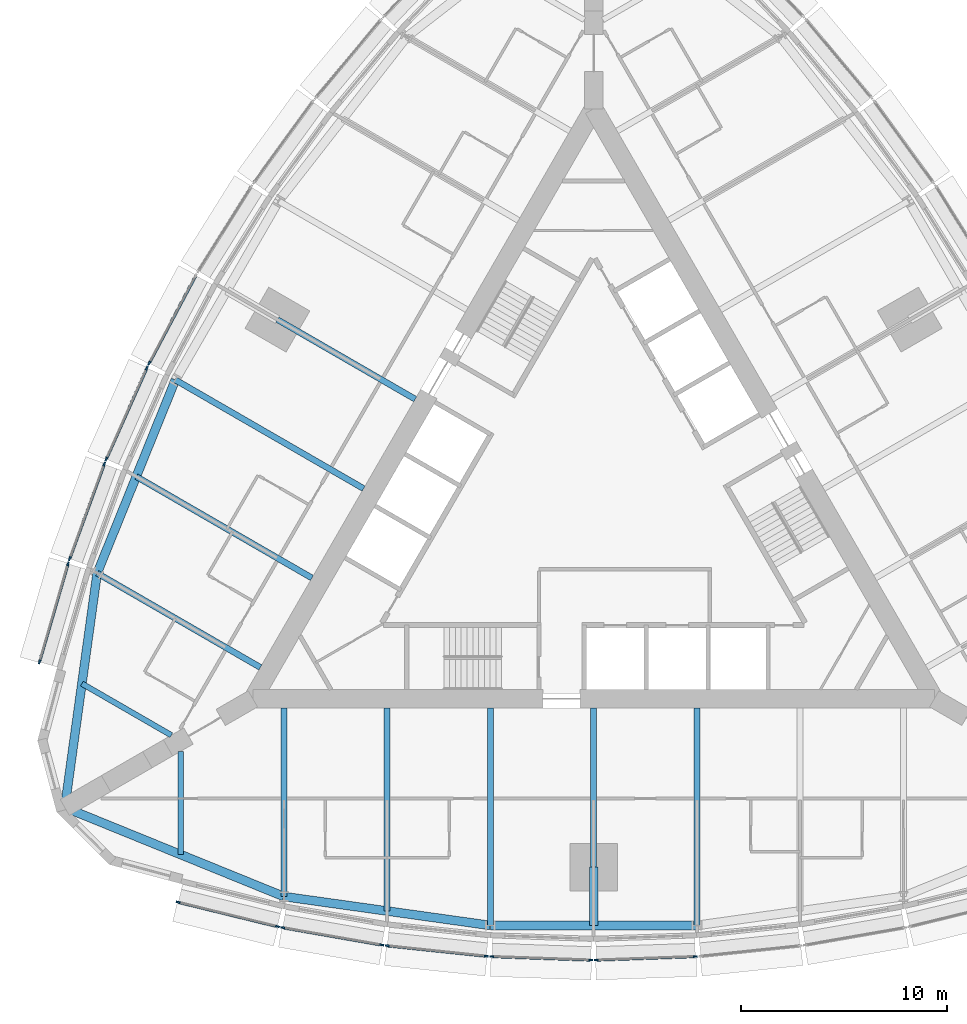
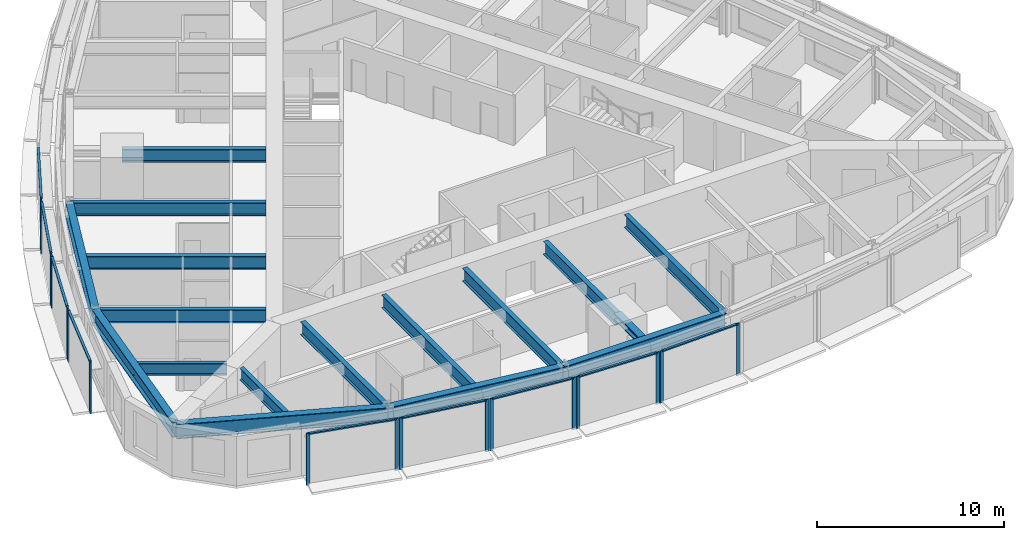
# One storey, part 2 of 14: 26 members, 17 beams, 9 elements without a shape of their own.
"""IFC4 building model written with IfcOpenShell, lengths in metres."""

import ifcopenshell
import ifcopenshell.guid

model = None  # the IFC model being written
_history = None  # IfcOwnerHistory: only IFC2X3 demands one
_inside = {}  # id of a spatial element -> (the spatial element, [elements in it])
_under = {}  # id of a project, library or spatial element -> (it, [spatial elements below it])
_declared = {}  # id of a project -> (the project, [libraries it declares])
_typed = {}  # id of a type object -> (the type object, [elements of that type])
_made_of = {}  # id of a material, layer set ... -> (it, [elements and type objects made of it])


def new_model(schema):
    """Start an empty IFC model of exactly this schema.

    Asked for "IFC4X3", IfcOpenShell would pick the latest addendum, in which some entities
    have other attributes; the version numbers below select the first issue.
    IFC2X3 requires an IfcOwnerHistory on every rooted entity: one is made here for all.
    """
    global model, _history
    if schema == "IFC4X3":
        model = ifcopenshell.file(schema_version=(4, 3, 0, 0))
    else:
        model = ifcopenshell.file(schema=schema)
    _inside.clear()
    _under.clear()
    _declared.clear()
    _typed.clear()
    _made_of.clear()
    _history = None
    if model.schema == "IFC2X3":
        org = make("IfcOrganization", Name="unknown")
        user = make(
            "IfcPersonAndOrganization",
            ThePerson=make("IfcPerson", FamilyName="unknown"),
            TheOrganization=org,
        )
        app = make(
            "IfcApplication",
            ApplicationDeveloper=org,
            Version="unknown",
            ApplicationFullName="unknown",
            ApplicationIdentifier="unknown",
        )
        _history = make(
            "IfcOwnerHistory",
            OwningUser=user,
            OwningApplication=app,
            ChangeAction="ADDED",
            CreationDate=0,
        )
    return model


def make(cls, **values):
    """One entity of the class cls with the attributes given. An attribute that is None is left unset."""
    return model.create_entity(
        cls, **{name: value for name, value in values.items() if value is not None}
    )


def rooted(cls, **values):
    """An entity with a GlobalId (a new one), such as an element, a storey or a relation."""
    return make(cls, GlobalId=ifcopenshell.guid.new(), OwnerHistory=_history, **values)


def si_unit(unit_type, name, prefix=None):
    """IfcSIUnit, for example si_unit("LENGTHUNIT", "METRE", prefix="MILLI")."""
    return make("IfcSIUnit", UnitType=unit_type, Prefix=prefix, Name=name)


def assignment(units):
    """IfcUnitAssignment: the units of a project."""
    return None if units is None else make("IfcUnitAssignment", Units=units)


def point(xyz):
    """IfcCartesianPoint."""
    return None if xyz is None else make("IfcCartesianPoint", Coordinates=xyz)


def direction(xyz):
    """IfcDirection."""
    return None if xyz is None else make("IfcDirection", DirectionRatios=xyz)


def frame(location, z_axis=None, x_axis=None):
    """IfcAxis2Placement3D, a coordinate frame: its origin and axes. An axis left out is left unset."""
    return make(
        "IfcAxis2Placement3D",
        Location=point(location),
        Axis=direction(z_axis),
        RefDirection=direction(x_axis),
    )


def frame_2d(location, x_axis=None):
    """IfcAxis2Placement2D, a coordinate frame in the plane: its origin and x axis."""
    return make(
        "IfcAxis2Placement2D", Location=point(location), RefDirection=direction(x_axis)
    )


def origin():
    """The frame at (0, 0, 0) with its axes left unset."""
    return frame((0.0, 0.0, 0.0))


def origin_2d():
    """The frame at (0, 0) in the plane with its x axis left unset."""
    return frame_2d((0.0, 0.0))


def place(relative_to, where):
    """IfcLocalPlacement: puts the frame where relative to a parent placement (None: the world)."""
    return make(
        "IfcLocalPlacement", PlacementRelTo=relative_to, RelativePlacement=where
    )


def context(
    kind, dimensions, precision=None, world=None, true_north=None, identifier=None
):
    """IfcGeometricRepresentationContext, for example the 3D "Model" context."""
    return make(
        "IfcGeometricRepresentationContext",
        ContextIdentifier=identifier,
        ContextType=kind,
        CoordinateSpaceDimension=dimensions,
        Precision=precision,
        WorldCoordinateSystem=world,
        TrueNorth=true_north,
    )


def subcontext(parent, identifier, kind, view, scale=None):
    """IfcGeometricRepresentationSubContext, for example "Body" below "Model"."""
    return make(
        "IfcGeometricRepresentationSubContext",
        ContextIdentifier=identifier,
        ContextType=kind,
        ParentContext=parent,
        TargetScale=scale,
        TargetView=view,
    )


def project(units=None, contexts=None):
    """IfcProject with its units and contexts."""
    return rooted(
        "IfcProject",
        Name="project",
        RepresentationContexts=contexts,
        UnitsInContext=assignment(units),
    )


def spatial(cls, under=None, at=None, **own):
    """A site, building, storey or space (cls), placed at a placement, below another one or the project."""
    s = rooted(cls, ObjectPlacement=at, **own)
    if under is not None:
        _under.setdefault(under.id(), (under, []))[1].append(s)
    return s


def profile(cls, at=None, kind="AREA", **sizes):
    """A parametric profile (cls). Its sizes go by their IFC names, for example OverallWidth=200.0."""
    return make(cls, ProfileType=kind, Position=at, **sizes)


def rectangle(**sizes):
    """IfcRectangleProfileDef."""
    return profile("IfcRectangleProfileDef", **sizes)


def i_section(**sizes):
    """IfcIShapeProfileDef."""
    return profile("IfcIShapeProfileDef", **sizes)


def extrude(swept, where, along, depth):
    """IfcExtrudedAreaSolid: the profile swept, set in the frame where, extruded along a direction by depth."""
    return make(
        "IfcExtrudedAreaSolid",
        SweptArea=swept,
        Position=where,
        ExtrudedDirection=direction(along),
        Depth=depth,
    )


def shape(context_of_items, identifier, shape_type, items):
    """IfcShapeRepresentation: the items that make up one representation, for example the "Body"."""
    return make(
        "IfcShapeRepresentation",
        ContextOfItems=context_of_items,
        RepresentationIdentifier=identifier,
        RepresentationType=shape_type,
        Items=items,
    )


def material(Name=None, Category=None):
    """IfcMaterial."""
    return make("IfcMaterial", Name=Name, Category=Category)


def material_profile(
    of_material, cross_section, Name=None, Category=None, Priority=None
):
    """IfcMaterialProfile: a cross section and its material."""
    return make(
        "IfcMaterialProfile",
        Name=Name,
        Material=of_material,
        Profile=cross_section,
        Priority=Priority,
        Category=Category,
    )


def profile_set(profiles, Name=None, composite=None):
    """IfcMaterialProfileSet."""
    return make(
        "IfcMaterialProfileSet",
        Name=Name,
        MaterialProfiles=profiles,
        CompositeProfile=composite,
    )


def made_of(thing, what):
    """Note that an element or type object is made of a material, layer set ...; save() writes the relation."""
    if what is not None:
        _made_of.setdefault(what.id(), (what, []))[1].append(thing)
    return thing


def type_object(cls, material=None, **own):
    """A type object (cls), such as IfcWallType, which elements share."""
    return made_of(rooted(cls, **own), material)


def element(
    cls,
    number,
    at=None,
    inside=None,
    cuts=None,
    type_object=None,
    material=None,
    context=None,
    identifier="Body",
    shape_type=None,
    held_by="IfcProductDefinitionShape",
    body=None,
    shapes=None,
    **own,
):
    """One element of the class cls, such as IfcWall. Its Tag is "e" and its number.

    at: its placement. inside: the storey or other place that contains it. cuts: it is an
    opening in that element (IfcRelVoidsElement). A single representation is given by context,
    identifier, shape_type and body (its items); several are given by shapes. held_by: the class
    of the entity that holds the representations. save() writes the other relations.
    """
    e = rooted(cls, Tag="e%d" % number, ObjectPlacement=at, **own)
    if body is not None:
        shapes = [shape(context, identifier, shape_type, body)]
    if shapes is not None:
        e.Representation = make(held_by, Representations=shapes)
    if inside is not None:
        _inside.setdefault(inside.id(), (inside, []))[1].append(e)
    if cuts is not None:
        rooted(
            "IfcRelVoidsElement", RelatingBuildingElement=cuts, RelatedOpeningElement=e
        )
    if type_object is not None:
        _typed.setdefault(type_object.id(), (type_object, []))[1].append(e)
    return made_of(e, material)


def aggregate(whole, parts):
    """IfcRelAggregates: a whole, such as a stair, and the parts it consists of."""
    return rooted("IfcRelAggregates", RelatingObject=whole, RelatedObjects=parts)


def save(model, path):
    """Write the relations noted so far, then the file.

    IfcRelAggregates (storeys below a building ...), IfcRelContainedInSpatialStructure (elements
    in a storey), IfcRelDefinesByType, IfcRelAssociatesMaterial and IfcRelDeclares: one each for
    every whole, place, type object, material and project.
    """
    for whole, parts in _under.values():
        aggregate(whole, parts)
    for where, things in _inside.values():
        rooted(
            "IfcRelContainedInSpatialStructure",
            RelatedElements=things,
            RelatingStructure=where,
        )
    for kind, things in _typed.values():
        rooted("IfcRelDefinesByType", RelatedObjects=things, RelatingType=kind)
    for what, things in _made_of.values():
        rooted("IfcRelAssociatesMaterial", RelatedObjects=things, RelatingMaterial=what)
    for by, libraries in _declared.values():
        rooted("IfcRelDeclares", RelatingContext=by, RelatedDefinitions=libraries)
    model.write(path)


model = new_model("IFC4")

# Units and contexts
model_context = context("Model", 3, precision=1e-05, world=origin(), true_north=direction((0.0, 1.0)))
body_context = subcontext(model_context, "Body", "Model", "MODEL_VIEW")
ifc_project = project(units=[si_unit("LENGTHUNIT", "METRE"), si_unit("AREAUNIT", "SQUARE_METRE"), si_unit("VOLUMEUNIT", "CUBIC_METRE"), si_unit("PLANEANGLEUNIT", "RADIAN"), si_unit("MASSUNIT", "GRAM", prefix="KILO")], contexts=[model_context])

# Site, building, storey
site_placement = place(None, origin())
site = spatial("IfcSite", under=ifc_project, at=site_placement, CompositionType="ELEMENT")
building_placement = place(site_placement, origin())
building = spatial("IfcBuilding", under=site, at=building_placement, Name="Trikona Tower", CompositionType="ELEMENT")
storey_placement = place(building_placement, frame((0.0, 0.0, 158.89990234375)))
storey = spatial("IfcBuildingStorey", under=building, at=storey_placement, Name="L42", CompositionType="ELEMENT", Elevation=158.89990234375)

# Curtain wall, members
ifc_material_1 = material(Name="Aluminium curtain wall system", Category="aluminium")
curtain_wall_type = type_object("IfcCurtainWallType", Name="Curtain wall DS2", PredefinedType="NOTDEFINED", material=ifc_material_1)
curtain_wall_1_placement = place(storey_placement, origin())
curtain_wall_1 = element("IfcCurtainWall", 1, at=curtain_wall_1_placement, inside=storey, type_object=curtain_wall_type, Name="Curtain wall DS2 L42", PredefinedType="NOTDEFINED")
ifc_material_2 = material(Name="Aluminium mullion, pale anodised", Category="aluminium")
ifc_material_profile_1 = material_profile(ifc_material_2, rectangle(XDim=0.080078125, YDim=0.199951171875, at=origin_2d()), Name="MUL-DS2")
ifc_profile_set_1 = profile_set([ifc_material_profile_1], Name="Aluminium mullion, pale anodised")
member_type_1 = type_object("IfcMemberType", Name="Mullion DS2 80x200", PredefinedType="MULLION", material=ifc_profile_set_1)
member_1_placement = place(storey_placement, frame((-20.116943359375, -19.373046875, 0.0), z_axis=(0.0, 0.0, 1.0), x_axis=(0.237970204243, 0.971272455026, 0.0)))
member_1 = element("IfcMember", 2, at=member_1_placement, type_object=member_type_1, Name="CW-DS2 mullion 1", PredefinedType="MULLION", context=body_context, shape_type="SweptSolid", body=[
    extrude(rectangle(XDim=0.080078125, YDim=0.199951171875, at=origin_2d()), origin(), (0.0, 0.0, 1.0), 3.400146484375),
])
member_2_placement = place(storey_placement, frame((-15.311279296875, -20.550537109375, 0.0), z_axis=(0.0, 0.0, 1.0), x_axis=(0.237970204243, 0.971272455026, 0.0)))
member_2 = element("IfcMember", 3, at=member_2_placement, type_object=member_type_1, Name="CW-DS2 mullion 2", PredefinedType="MULLION", context=body_context, shape_type="SweptSolid", body=[
    extrude(rectangle(XDim=0.080078125, YDim=0.199951171875, at=origin_2d()), origin(), (0.0, 0.0, 1.0), 3.400146484375),
])

curtain_wall_2_placement = place(storey_placement, origin())
curtain_wall_2 = element("IfcCurtainWall", 4, at=curtain_wall_2_placement, inside=storey, type_object=curtain_wall_type, Name="Curtain wall DS2 L42", PredefinedType="NOTDEFINED")
member_3_placement = place(storey_placement, frame((-15.056640625, -20.60400390625, 0.0), z_axis=(0.0, 0.0, 1.0), x_axis=(0.17237739505, 0.985030981074, 0.0)))
member_3 = element("IfcMember", 5, at=member_3_placement, type_object=member_type_1, Name="CW-DS2 mullion 1", PredefinedType="MULLION", context=body_context, shape_type="SweptSolid", body=[
    extrude(rectangle(XDim=0.080078125, YDim=0.199951171875, at=origin_2d()), origin(), (0.0, 0.0, 1.0), 3.400146484375),
])
member_4_placement = place(storey_placement, frame((-10.253662109375, -21.444580078125, 0.0), z_axis=(0.0, 0.0, 1.0), x_axis=(0.17237739505, 0.985030981074, 0.0)))
member_4 = element("IfcMember", 6, at=member_4_placement, type_object=member_type_1, Name="CW-DS2 mullion 2", PredefinedType="MULLION", context=body_context, shape_type="SweptSolid", body=[
    extrude(rectangle(XDim=0.080078125, YDim=0.199951171875, at=origin_2d()), origin(), (0.0, 0.0, 1.0), 3.400146484375),
])

curtain_wall_3_placement = place(storey_placement, origin())
curtain_wall_3 = element("IfcCurtainWall", 7, at=curtain_wall_3_placement, inside=storey, type_object=curtain_wall_type, Name="Curtain wall DS2 L42", PredefinedType="NOTDEFINED")
member_5_placement = place(storey_placement, frame((-9.99462890625, -21.480712890625, 0.0), z_axis=(0.0, 0.0, 1.0), x_axis=(0.104433387357, 0.994531883654, 0.0)))
member_5 = element("IfcMember", 8, at=member_5_placement, type_object=member_type_1, Name="CW-DS2 mullion 1", PredefinedType="MULLION", context=body_context, shape_type="SweptSolid", body=[
    extrude(rectangle(XDim=0.080078125, YDim=0.199951171875, at=origin_2d()), origin(), (0.0, 0.0, 1.0), 3.400146484375),
])
member_6_placement = place(storey_placement, frame((-5.193359375, -21.98486328125, 0.0), z_axis=(0.0, 0.0, 1.0), x_axis=(0.104433387357, 0.994531883654, 0.0)))
member_6 = element("IfcMember", 9, at=member_6_placement, type_object=member_type_1, Name="CW-DS2 mullion 2", PredefinedType="MULLION", context=body_context, shape_type="SweptSolid", body=[
    extrude(rectangle(XDim=0.080078125, YDim=0.199951171875, at=origin_2d()), origin(), (0.0, 0.0, 1.0), 3.400146484375),
])

curtain_wall_4_placement = place(storey_placement, origin())
curtain_wall_4 = element("IfcCurtainWall", 10, at=curtain_wall_4_placement, inside=storey, type_object=curtain_wall_type, Name="Curtain wall DS2 L42", PredefinedType="NOTDEFINED")
member_7_placement = place(storey_placement, frame((-4.931640625, -22.003173828125, 0.0), z_axis=(0.0, 0.0, 1.0), x_axis=(0.034998320052, 0.99938737114, 0.0)))
member_7 = element("IfcMember", 11, at=member_7_placement, type_object=member_type_1, Name="CW-DS2 mullion 1", PredefinedType="MULLION", context=body_context, shape_type="SweptSolid", body=[
    extrude(rectangle(XDim=0.080078125, YDim=0.199951171875, at=origin_2d()), origin(), (0.0, 0.0, 1.0), 3.400146484375),
])
member_8_placement = place(storey_placement, frame((-0.13134765625, -22.171142578125, 0.0), z_axis=(0.0, 0.0, 1.0), x_axis=(0.034998320052, 0.99938737114, 0.0)))
member_8 = element("IfcMember", 12, at=member_8_placement, type_object=member_type_1, Name="CW-DS2 mullion 2", PredefinedType="MULLION", context=body_context, shape_type="SweptSolid", body=[
    extrude(rectangle(XDim=0.080078125, YDim=0.199951171875, at=origin_2d()), origin(), (0.0, 0.0, 1.0), 3.400146484375),
])

curtain_wall_5_placement = place(storey_placement, origin())
curtain_wall_5 = element("IfcCurtainWall", 13, at=curtain_wall_5_placement, inside=storey, type_object=curtain_wall_type, Name="Curtain wall DS2 L42", PredefinedType="NOTDEFINED")
member_9_placement = place(storey_placement, frame((0.13134765625, -22.171142578125, 0.0), z_axis=(0.0, 0.0, 1.0), x_axis=(-0.034998320052, 0.99938737114, 0.0)))
member_9 = element("IfcMember", 14, at=member_9_placement, type_object=member_type_1, Name="CW-DS2 mullion 1", PredefinedType="MULLION", context=body_context, shape_type="SweptSolid", body=[
    extrude(rectangle(XDim=0.080078125, YDim=0.199951171875, at=origin_2d()), origin(), (0.0, 0.0, 1.0), 3.400146484375),
])
member_10_placement = place(storey_placement, frame((4.931640625, -22.003173828125, 0.0), z_axis=(0.0, 0.0, 1.0), x_axis=(-0.034998320052, 0.99938737114, 0.0)))
member_10 = element("IfcMember", 15, at=member_10_placement, type_object=member_type_1, Name="CW-DS2 mullion 2", PredefinedType="MULLION", context=body_context, shape_type="SweptSolid", body=[
    extrude(rectangle(XDim=0.080078125, YDim=0.199951171875, at=origin_2d()), origin(), (0.0, 0.0, 1.0), 3.400146484375),
])

# Curtain wall, member
curtain_wall_6_placement = place(storey_placement, origin())
curtain_wall_6 = element("IfcCurtainWall", 16, at=curtain_wall_6_placement, inside=storey, type_object=curtain_wall_type, Name="Curtain wall DS2 L42", PredefinedType="NOTDEFINED")
member_11_placement = place(storey_placement, frame((-21.52099609375, 6.730712890625, 0.0), z_axis=(0.0, 0.0, 1.0), x_axis=(0.882996107343, -0.469380308937, 0.0)))
member_11 = element("IfcMember", 17, at=member_11_placement, type_object=member_type_1, Name="CW-DS2 mullion 2", PredefinedType="MULLION", context=body_context, shape_type="SweptSolid", body=[
    extrude(rectangle(XDim=0.080078125, YDim=0.199951171875, at=origin_2d()), origin(), (0.0, 0.0, 1.0), 3.400146484375),
])

# Curtain wall, members
curtain_wall_7_placement = place(storey_placement, origin())
curtain_wall_7 = element("IfcCurtainWall", 18, at=curtain_wall_7_placement, inside=storey, type_object=curtain_wall_type, Name="Curtain wall DS2 L42", PredefinedType="NOTDEFINED")
member_12_placement = place(storey_placement, frame((-21.63623046875, 6.494873046875, 0.0), z_axis=(0.0, 0.0, 1.0), x_axis=(0.913501208767, -0.406836013132, 0.0)))
member_12 = element("IfcMember", 19, at=member_12_placement, type_object=member_type_1, Name="CW-DS2 mullion 1", PredefinedType="MULLION", context=body_context, shape_type="SweptSolid", body=[
    extrude(rectangle(XDim=0.080078125, YDim=0.199951171875, at=origin_2d()), origin(), (0.0, 0.0, 1.0), 3.400146484375),
])
member_13_placement = place(storey_placement, frame((-23.60009765625, 2.0849609375, 0.0), z_axis=(0.0, 0.0, 1.0), x_axis=(0.913501208767, -0.406836013132, 0.0)))
member_13 = element("IfcMember", 20, at=member_13_placement, type_object=member_type_1, Name="CW-DS2 mullion 2", PredefinedType="MULLION", context=body_context, shape_type="SweptSolid", body=[
    extrude(rectangle(XDim=0.080078125, YDim=0.199951171875, at=origin_2d()), origin(), (0.0, 0.0, 1.0), 3.400146484375),
])

curtain_wall_8_placement = place(storey_placement, origin())
curtain_wall_8 = element("IfcCurtainWall", 21, at=curtain_wall_8_placement, inside=storey, type_object=curtain_wall_type, Name="Curtain wall DS2 L42", PredefinedType="NOTDEFINED")
member_14_placement = place(storey_placement, frame((-23.6982421875, 1.84228515625, 0.0), z_axis=(0.0, 0.0, 1.0), x_axis=(0.939253790978, -0.343223420143, 0.0)))
member_14 = element("IfcMember", 22, at=member_14_placement, type_object=member_type_1, Name="CW-DS2 mullion 1", PredefinedType="MULLION", context=body_context, shape_type="SweptSolid", body=[
    extrude(rectangle(XDim=0.080078125, YDim=0.199951171875, at=origin_2d()), origin(), (0.0, 0.0, 1.0), 3.400146484375),
])
member_15_placement = place(storey_placement, frame((-25.371826171875, -2.737548828125, 0.0), z_axis=(0.0, 0.0, 1.0), x_axis=(0.939253790978, -0.343223420143, 0.0)))
member_15 = element("IfcMember", 23, at=member_15_placement, type_object=member_type_1, Name="CW-DS2 mullion 2", PredefinedType="MULLION", context=body_context, shape_type="SweptSolid", body=[
    extrude(rectangle(XDim=0.080078125, YDim=0.199951171875, at=origin_2d()), origin(), (0.0, 0.0, 1.0), 3.400146484375),
])

curtain_wall_9_placement = place(storey_placement, origin())
curtain_wall_9 = element("IfcCurtainWall", 24, at=curtain_wall_9_placement, inside=storey, type_object=curtain_wall_type, Name="Curtain wall DS2 L42", PredefinedType="NOTDEFINED")
member_16_placement = place(storey_placement, frame((-25.452880859375, -2.984619140625, 0.0), z_axis=(0.0, 0.0, 1.0), x_axis=(0.96013310152, -0.279543247757, 0.0)))
member_16 = element("IfcMember", 25, at=member_16_placement, type_object=member_type_1, Name="CW-DS2 mullion 1", PredefinedType="MULLION", context=body_context, shape_type="SweptSolid", body=[
    extrude(rectangle(XDim=0.080078125, YDim=0.199951171875, at=origin_2d()), origin(), (0.0, 0.0, 1.0), 3.400146484375),
])
member_17_placement = place(storey_placement, frame((-26.836181640625, -7.7353515625, 0.0), z_axis=(0.0, 0.0, 1.0), x_axis=(0.96013310152, -0.279543247757, 0.0)))
member_17 = element("IfcMember", 26, at=member_17_placement, type_object=member_type_1, Name="CW-DS2 mullion 2", PredefinedType="MULLION", context=body_context, shape_type="SweptSolid", body=[
    extrude(rectangle(XDim=0.080078125, YDim=0.199951171875, at=origin_2d()), origin(), (0.0, 0.0, 1.0), 3.400146484375),
])

# Beams
ifc_material_3 = material(Name="Steel ASTM A992 Grade 50", Category="steel")
ifc_material_profile_2 = material_profile(ifc_material_3, i_section(OverallWidth=0.419189453125, OverallDepth=0.45458984375, WebThickness=0.042236328125, FlangeThickness=0.067626953125, at=origin_2d()), Name="W14X370")
ifc_profile_set_2 = profile_set([ifc_material_profile_2], Name="Steel ASTM A992 Grade 50")
beam_type_1 = type_object("IfcBeamType", Name="Steel beam W14x370 (apex bracket)", PredefinedType="BEAM", material=ifc_profile_set_2)
beam_1_placement = place(storey_placement, frame((0.0, -17.680419921875, 3.0078125), z_axis=(0.0, -1.0, 0.0), x_axis=(1.0, 0.0, 0.0)))
element("IfcBeam", 27, at=beam_1_placement, inside=storey, type_object=beam_type_1, Name="Cantilever bracket L43 F1", PredefinedType="BEAM", context=body_context, shape_type="SweptSolid", body=[
    extrude(i_section(OverallWidth=0.419189453125, OverallDepth=0.45458984375, WebThickness=0.042236328125, FlangeThickness=0.067626953125, at=origin_2d()), origin(), (0.0, 0.0, 1.0), 2.81982421875),
])
ifc_material_4 = material(Name="Steel ASTM A992 Grade 50", Category="steel")
ifc_material_profile_3 = material_profile(ifc_material_4, i_section(OverallWidth=0.2666015625, OverallDepth=0.76953125, WebThickness=0.015625, FlangeThickness=0.025390625, at=origin_2d()), Name="W30X132")
ifc_profile_set_3 = profile_set([ifc_material_profile_3], Name="Steel ASTM A992 Grade 50")
beam_type_2 = type_object("IfcBeamType", Name="Steel beam W30x132 (wedge)", PredefinedType="BEAM", material=ifc_profile_set_3)
beam_2_placement = place(storey_placement, frame((-20.0, -12.066650390625, 2.850341796875), z_axis=(0.0, -1.0, 0.0), x_axis=(1.0, 0.0, 0.0)))
element("IfcBeam", 28, at=beam_2_placement, inside=storey, type_object=beam_type_2, Name="Floor beam L43 F1 u-20", PredefinedType="BEAM", context=body_context, shape_type="SweptSolid", body=[
    extrude(i_section(OverallWidth=0.2666015625, OverallDepth=0.76953125, WebThickness=0.015625, FlangeThickness=0.025390625, at=origin_2d()), origin(), (0.0, 0.0, 1.0), 5.00048828125),
])
beam_3_placement = place(storey_placement, frame((-20.449951171875, -11.287109375, 2.850341796875), z_axis=(-0.866038434829, 0.49997742889, 0.0), x_axis=(-0.49997742889, -0.866038434829, 0.0)))
element("IfcBeam", 29, at=beam_3_placement, inside=storey, type_object=beam_type_2, Name="Floor beam L43 F3 u20", PredefinedType="BEAM", context=body_context, shape_type="SweptSolid", body=[
    extrude(i_section(OverallWidth=0.2666015625, OverallDepth=0.76953125, WebThickness=0.015625, FlangeThickness=0.025390625, at=origin_2d()), origin(), (0.0, 0.0, 1.0), 5.000732421875),
])
ifc_material_5 = material(Name="Steel ASTM A992 Grade 50", Category="steel")
ifc_material_profile_4 = material_profile(ifc_material_5, i_section(OverallWidth=0.2919921875, OverallDepth=0.845703125, WebThickness=0.015380859375, FlangeThickness=0.0244140625, at=origin_2d()), Name="W33X141")
ifc_profile_set_4 = profile_set([ifc_material_profile_4], Name="Steel ASTM A992 Grade 50")
beam_type_3 = type_object("IfcBeamType", Name="Steel beam W33x141 (radial typ)", PredefinedType="BEAM", material=ifc_profile_set_4)
beam_4_placement = place(storey_placement, frame((-15.0, -9.976318359375, 2.812255859375), z_axis=(0.0, -1.0, 0.0), x_axis=(1.0, 0.0, 0.0)))
element("IfcBeam", 30, at=beam_4_placement, inside=storey, type_object=beam_type_3, Name="Floor beam L43 F1 u-15", PredefinedType="BEAM", context=body_context, shape_type="SweptSolid", body=[
    extrude(i_section(OverallWidth=0.2919921875, OverallDepth=0.845703125, WebThickness=0.015380859375, FlangeThickness=0.0244140625, at=origin_2d()), origin(), (0.0, 0.0, 1.0), 9.123779296875),
])
beam_5_placement = place(storey_placement, frame((-10.0, -9.976318359375, 2.812255859375), z_axis=(0.0, -1.0, 0.0), x_axis=(1.0, 0.0, 0.0)))
element("IfcBeam", 31, at=beam_5_placement, inside=storey, type_object=beam_type_3, Name="Floor beam L43 F1 u-10", PredefinedType="BEAM", context=body_context, shape_type="SweptSolid", body=[
    extrude(i_section(OverallWidth=0.2919921875, OverallDepth=0.845703125, WebThickness=0.015380859375, FlangeThickness=0.0244140625, at=origin_2d()), origin(), (0.0, 0.0, 1.0), 9.823974609375),
])
beam_6_placement = place(storey_placement, frame((-5.0, -9.976318359375, 2.812255859375), z_axis=(0.0, -1.0, 0.0), x_axis=(1.0, 0.0, 0.0)))
element("IfcBeam", 32, at=beam_6_placement, inside=storey, type_object=beam_type_3, Name="Floor beam L43 F1 u-5", PredefinedType="BEAM", context=body_context, shape_type="SweptSolid", body=[
    extrude(i_section(OverallWidth=0.2919921875, OverallDepth=0.845703125, WebThickness=0.015380859375, FlangeThickness=0.0244140625, at=origin_2d()), origin(), (0.0, 0.0, 1.0), 10.52392578125),
])
beam_7_placement = place(storey_placement, frame((0.0, -9.976318359375, 2.812255859375), z_axis=(0.0, -1.0, 0.0), x_axis=(1.0, 0.0, 0.0)))
element("IfcBeam", 33, at=beam_7_placement, inside=storey, type_object=beam_type_3, Name="Floor beam L43 F1 u0", PredefinedType="BEAM", context=body_context, shape_type="SweptSolid", body=[
    extrude(i_section(OverallWidth=0.2919921875, OverallDepth=0.845703125, WebThickness=0.015380859375, FlangeThickness=0.0244140625, at=origin_2d()), origin(), (0.0, 0.0, 1.0), 7.7041015625),
])
beam_8_placement = place(storey_placement, frame((5.0, -9.976318359375, 2.812255859375), z_axis=(0.0, -1.0, 0.0), x_axis=(1.0, 0.0, 0.0)))
element("IfcBeam", 34, at=beam_8_placement, inside=storey, type_object=beam_type_3, Name="Floor beam L43 F1 u5", PredefinedType="BEAM", context=body_context, shape_type="SweptSolid", body=[
    extrude(i_section(OverallWidth=0.2919921875, OverallDepth=0.845703125, WebThickness=0.015380859375, FlangeThickness=0.0244140625, at=origin_2d()), origin(), (0.0, 0.0, 1.0), 10.52392578125),
])
beam_9_placement = place(storey_placement, frame((-8.6396484375, 4.988037109375, 2.812255859375), z_axis=(-0.866017246294, 0.500014128921, 0.0), x_axis=(-0.500014128921, -0.866017246294, 0.0)))
element("IfcBeam", 35, at=beam_9_placement, inside=storey, type_object=beam_type_3, Name="Floor beam L43 F3 u0", PredefinedType="BEAM", context=body_context, shape_type="SweptSolid", body=[
    extrude(i_section(OverallWidth=0.2919921875, OverallDepth=0.845703125, WebThickness=0.015380859375, FlangeThickness=0.0244140625, at=origin_2d()), origin(), (0.0, 0.0, 1.0), 7.704345703125),
])
beam_10_placement = place(storey_placement, frame((-11.1396484375, 0.657958984375, 2.812255859375), z_axis=(-0.866026035623, 0.499998905622, 0.0), x_axis=(-0.499998905622, -0.866026035623, 0.0)))
element("IfcBeam", 36, at=beam_10_placement, inside=storey, type_object=beam_type_3, Name="Floor beam L43 F3 u5", PredefinedType="BEAM", context=body_context, shape_type="SweptSolid", body=[
    extrude(i_section(OverallWidth=0.2919921875, OverallDepth=0.845703125, WebThickness=0.015380859375, FlangeThickness=0.0244140625, at=origin_2d()), origin(), (0.0, 0.0, 1.0), 10.52392578125),
])
beam_11_placement = place(storey_placement, frame((-13.6396484375, -3.672119140625, 2.812255859375), z_axis=(-0.866020046725, 0.500009278584, 0.0), x_axis=(-0.500009278584, -0.866020046725, 0.0)))
element("IfcBeam", 37, at=beam_11_placement, inside=storey, type_object=beam_type_3, Name="Floor beam L43 F3 u10", PredefinedType="BEAM", context=body_context, shape_type="SweptSolid", body=[
    extrude(i_section(OverallWidth=0.2919921875, OverallDepth=0.845703125, WebThickness=0.015380859375, FlangeThickness=0.0244140625, at=origin_2d()), origin(), (0.0, 0.0, 1.0), 9.823974609375),
])
beam_12_placement = place(storey_placement, frame((-16.1396484375, -8.002197265625, 2.812255859375), z_axis=(-0.866024725532, 0.500001174766, 0.0), x_axis=(-0.500001174766, -0.866024725532, 0.0)))
element("IfcBeam", 38, at=beam_12_placement, inside=storey, type_object=beam_type_3, Name="Floor beam L43 F3 u15", PredefinedType="BEAM", context=body_context, shape_type="SweptSolid", body=[
    extrude(i_section(OverallWidth=0.2919921875, OverallDepth=0.845703125, WebThickness=0.015380859375, FlangeThickness=0.0244140625, at=origin_2d()), origin(), (0.0, 0.0, 1.0), 9.1240234375),
])
ifc_material_6 = material(Name="Steel ASTM A992 Grade 50", Category="steel")
ifc_material_profile_5 = material_profile(ifc_material_6, i_section(OverallWidth=0.424072265625, OverallDepth=0.947509765625, WebThickness=0.02392578125, FlangeThickness=0.042724609375, at=origin_2d()), Name="W36X302")
ifc_profile_set_5 = profile_set([ifc_material_profile_5], Name="Steel ASTM A992 Grade 50")
beam_type_4 = type_object("IfcBeamType", Name="Steel beam W36x302 (spandrel)", PredefinedType="SPANDREL", material=ifc_profile_set_5)
beam_13_placement = place(storey_placement, frame((-25.6103515625, -14.7861328125, 2.761474609375), z_axis=(0.926359695662, -0.376640032728, 0.0), x_axis=(0.376640032728, 0.926359695662, 0.0)))
element("IfcBeam", 39, at=beam_13_placement, inside=storey, type_object=beam_type_4, Name="Spandrel beam L43 F1-1", PredefinedType="SPANDREL", context=body_context, shape_type="SweptSolid", body=[
    extrude(i_section(OverallWidth=0.424072265625, OverallDepth=0.947509765625, WebThickness=0.02392578125, FlangeThickness=0.042724609375, at=origin_2d()), origin(), (0.0, 0.0, 1.0), 11.453857421875),
])
beam_14_placement = place(storey_placement, frame((-15.0, -19.10009765625, 2.761474609375), z_axis=(0.990339754644, -0.13866207258, 0.0), x_axis=(0.13866207258, 0.990339754644, 0.0)))
element("IfcBeam", 40, at=beam_14_placement, inside=storey, type_object=beam_type_4, Name="Spandrel beam L43 F1-2", PredefinedType="SPANDREL", context=body_context, shape_type="SweptSolid", body=[
    extrude(i_section(OverallWidth=0.424072265625, OverallDepth=0.947509765625, WebThickness=0.02392578125, FlangeThickness=0.042724609375, at=origin_2d()), origin(), (0.0, 0.0, 1.0), 10.09765625),
])
beam_15_placement = place(storey_placement, frame((-5.0, -20.500244140625, 2.761474609375), z_axis=(1.0, 0.0, 0.0), x_axis=(0.0, 1.0, 0.0)))
element("IfcBeam", 41, at=beam_15_placement, inside=storey, type_object=beam_type_4, Name="Spandrel beam L43 F1-3", PredefinedType="SPANDREL", context=body_context, shape_type="SweptSolid", body=[
    extrude(i_section(OverallWidth=0.424072265625, OverallDepth=0.947509765625, WebThickness=0.02392578125, FlangeThickness=0.042724609375, at=origin_2d()), origin(), (0.0, 0.0, 1.0), 10.0),
])
beam_16_placement = place(storey_placement, frame((-20.253662109375, 5.919921875, 2.761474609375), z_axis=(-0.375106193787, -0.926981846307, 0.0), x_axis=(0.926981846307, -0.375106193787, 0.0)))
element("IfcBeam", 42, at=beam_16_placement, inside=storey, type_object=beam_type_4, Name="Spandrel beam L43 F3-4", PredefinedType="SPANDREL", context=body_context, shape_type="SweptSolid", body=[
    extrude(i_section(OverallWidth=0.424072265625, OverallDepth=0.947509765625, WebThickness=0.02392578125, FlangeThickness=0.042724609375, at=origin_2d()), origin(), (0.0, 0.0, 1.0), 10.097412109375),
])
beam_17_placement = place(storey_placement, frame((-24.041259765625, -3.440185546875, 2.761474609375), z_axis=(-0.136991535842, -0.990572218017, 0.0), x_axis=(0.990572218017, -0.136991535842, 0.0)))
element("IfcBeam", 43, at=beam_17_placement, inside=storey, type_object=beam_type_4, Name="Spandrel beam L43 F3-5", PredefinedType="SPANDREL", context=body_context, shape_type="SweptSolid", body=[
    extrude(i_section(OverallWidth=0.424072265625, OverallDepth=0.947509765625, WebThickness=0.02392578125, FlangeThickness=0.042724609375, at=origin_2d()), origin(), (0.0, 0.0, 1.0), 11.453857421875),
])

# Member
ifc_material_7 = material(Name="Aluminium transom, pale anodised", Category="aluminium")
ifc_material_profile_6 = material_profile(ifc_material_7, rectangle(XDim=0.139892578125, YDim=0.080078125, at=origin_2d()), Name="TRN-DS2")
ifc_profile_set_6 = profile_set([ifc_material_profile_6], Name="Aluminium transom, pale anodised")
member_type_2 = type_object("IfcMemberType", Name="Transom DS2 80x140", PredefinedType="USERDEFINED", material=ifc_profile_set_6)
member_18_placement = place(storey_placement, frame((-20.078125, -19.382568359375, 3.360107421875), z_axis=(0.971270583303, -0.237977843528, 0.0), x_axis=(0.237977843528, 0.971270583303, 0.0)))
member_18 = element("IfcMember", 44, at=member_18_placement, type_object=member_type_2, Name="CW-DS2 transom 1.1", ObjectType="TRANSOM", PredefinedType="USERDEFINED", context=body_context, shape_type="SweptSolid", body=[
    extrude(rectangle(XDim=0.139892578125, YDim=0.080078125, at=origin_2d()), origin(), (0.0, 0.0, 1.0), 4.867919921875),
])

aggregate(curtain_wall_1, [member_1, member_2, member_18])

member_19_placement = place(storey_placement, frame((-15.01708984375, -20.61083984375, 3.360107421875), z_axis=(0.98503262804, -0.172367983387, 0.0), x_axis=(0.172367983387, 0.98503262804, 0.0)))
member_19 = element("IfcMember", 45, at=member_19_placement, type_object=member_type_2, Name="CW-DS2 transom 1.1", ObjectType="TRANSOM", PredefinedType="USERDEFINED", context=body_context, shape_type="SweptSolid", body=[
    extrude(rectangle(XDim=0.139892578125, YDim=0.080078125, at=origin_2d()), origin(), (0.0, 0.0, 1.0), 4.7958984375),
])

aggregate(curtain_wall_2, [member_3, member_4, member_19])

member_20_placement = place(storey_placement, frame((-9.954833984375, -21.48486328125, 3.360107421875), z_axis=(0.99453106441, -0.104441188822, 0.0), x_axis=(0.104441188822, 0.99453106441, 0.0)))
member_20 = element("IfcMember", 46, at=member_20_placement, type_object=member_type_2, Name="CW-DS2 transom 1.1", ObjectType="TRANSOM", PredefinedType="USERDEFINED", context=body_context, shape_type="SweptSolid", body=[
    extrude(rectangle(XDim=0.139892578125, YDim=0.080078125, at=origin_2d()), origin(), (0.0, 0.0, 1.0), 4.74755859375),
])

aggregate(curtain_wall_3, [member_5, member_6, member_20])

member_21_placement = place(storey_placement, frame((-4.8916015625, -22.00439453125, 3.360107421875), z_axis=(0.999385692759, -0.035046213908, 0.0), x_axis=(0.035046213908, 0.999385692759, 0.0)))
member_21 = element("IfcMember", 47, at=member_21_placement, type_object=member_type_2, Name="CW-DS2 transom 1.1", ObjectType="TRANSOM", PredefinedType="USERDEFINED", context=body_context, shape_type="SweptSolid", body=[
    extrude(rectangle(XDim=0.139892578125, YDim=0.080078125, at=origin_2d()), origin(), (0.0, 0.0, 1.0), 4.72314453125),
])

aggregate(curtain_wall_4, [member_7, member_8, member_21])

member_22_placement = place(storey_placement, frame((0.17138671875, -22.169921875, 3.360107421875), z_axis=(0.999385692759, 0.035046213908, 0.0), x_axis=(-0.035046213908, 0.999385692759, 0.0)))
member_22 = element("IfcMember", 48, at=member_22_placement, type_object=member_type_2, Name="CW-DS2 transom 1.1", ObjectType="TRANSOM", PredefinedType="USERDEFINED", context=body_context, shape_type="SweptSolid", body=[
    extrude(rectangle(XDim=0.139892578125, YDim=0.080078125, at=origin_2d()), origin(), (0.0, 0.0, 1.0), 4.72314453125),
])

aggregate(curtain_wall_5, [member_9, member_10, member_22])

member_23_placement = place(storey_placement, frame((-19.285400390625, 10.9365234375, 3.360107421875), z_axis=(-0.469364343408, -0.883004594063, 0.0), x_axis=(0.883004594063, -0.469364343408, 0.0)))
member_23 = element("IfcMember", 49, at=member_23_placement, type_object=member_type_2, Name="CW-DS2 transom 1.1", ObjectType="TRANSOM", PredefinedType="USERDEFINED", context=body_context, shape_type="SweptSolid", body=[
    extrude(rectangle(XDim=0.139892578125, YDim=0.080078125, at=origin_2d()), origin(), (0.0, 0.0, 1.0), 4.722900390625),
])

aggregate(curtain_wall_6, [member_11, member_23])

member_24_placement = place(storey_placement, frame((-21.65234375, 6.458251953125, 3.360107421875), z_axis=(-0.406839769607, -0.913499535778, 0.0), x_axis=(0.913499535778, -0.406839769607, 0.0)))
member_24 = element("IfcMember", 50, at=member_24_placement, type_object=member_type_2, Name="CW-DS2 transom 1.1", ObjectType="TRANSOM", PredefinedType="USERDEFINED", context=body_context, shape_type="SweptSolid", body=[
    extrude(rectangle(XDim=0.139892578125, YDim=0.080078125, at=origin_2d()), origin(), (0.0, 0.0, 1.0), 4.747314453125),
])

aggregate(curtain_wall_7, [member_12, member_13, member_24])

member_25_placement = place(storey_placement, frame((-23.712158203125, 1.8046875, 3.360107421875), z_axis=(-0.343205907674, -0.939260190223, 0.0), x_axis=(0.939260190223, -0.343205907674, 0.0)))
member_25 = element("IfcMember", 51, at=member_25_placement, type_object=member_type_2, Name="CW-DS2 transom 1.1", ObjectType="TRANSOM", PredefinedType="USERDEFINED", context=body_context, shape_type="SweptSolid", body=[
    extrude(rectangle(XDim=0.139892578125, YDim=0.080078125, at=origin_2d()), origin(), (0.0, 0.0, 1.0), 4.7958984375),
])

aggregate(curtain_wall_8, [member_14, member_15, member_25])

member_26_placement = place(storey_placement, frame((-25.464111328125, -3.023193359375, 3.360107421875), z_axis=(-0.279566628153, -0.960126293996, 0.0), x_axis=(0.960126293996, -0.279566628153, 0.0)))
member_26 = element("IfcMember", 52, at=member_26_placement, type_object=member_type_2, Name="CW-DS2 transom 1.1", ObjectType="TRANSOM", PredefinedType="USERDEFINED", context=body_context, shape_type="SweptSolid", body=[
    extrude(rectangle(XDim=0.139892578125, YDim=0.080078125, at=origin_2d()), origin(), (0.0, 0.0, 1.0), 4.86767578125),
])

aggregate(curtain_wall_9, [member_16, member_17, member_26])

save(model, "model.ifc")
